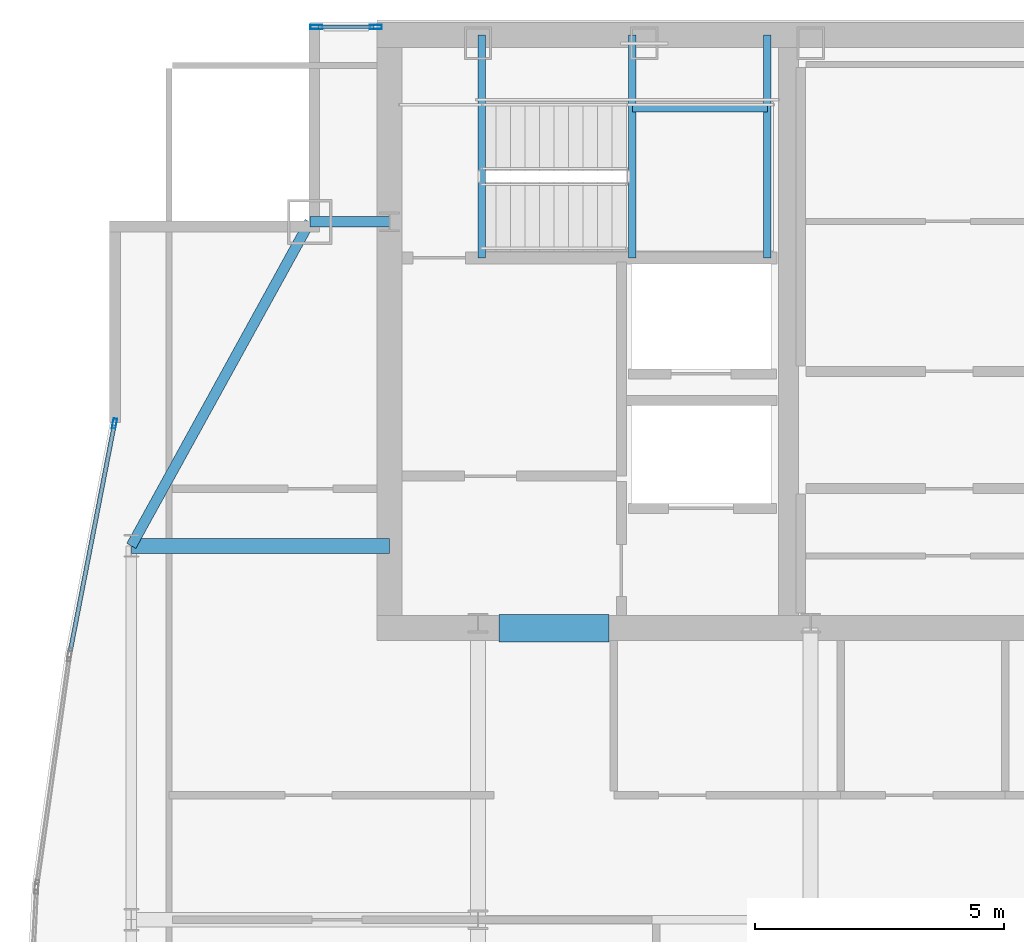
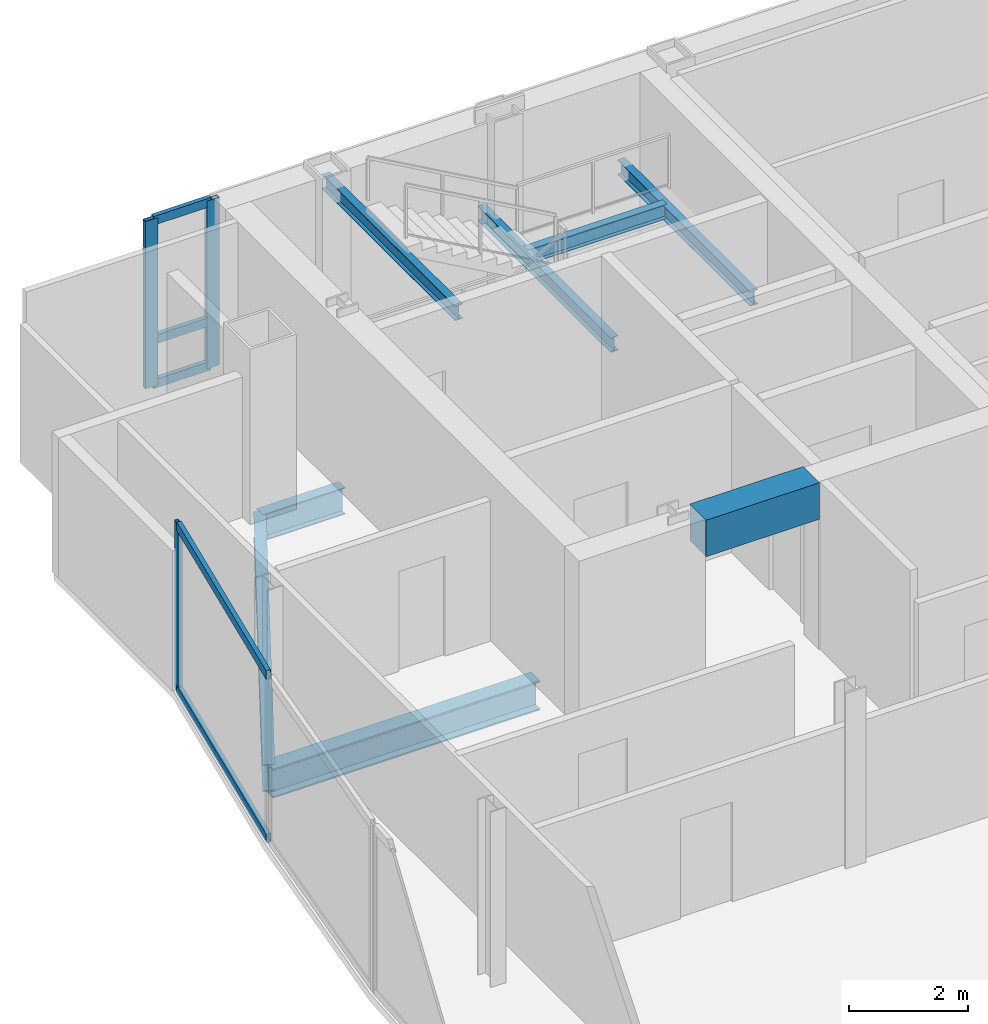
# One storey, part 18 of 27: 8 beams, 8 members, 2 elements without a shape of their own.
"""IFC4 building model written with IfcOpenShell, lengths in metres."""

from ifc_helpers import new_model, si_unit, direction, frame, origin, origin_2d, place, context, subcontext, project, spatial, rectangle, hollow_rectangle, i_section, extrude, material, material_profile, profile_set, type_object, element, aggregate, save


model = new_model("IFC4")

# Units and contexts
model_context = context("Model", 3, precision=1e-05, world=origin(), true_north=direction((0.0, 1.0)))
body_context = subcontext(model_context, "Body", "Model", "MODEL_VIEW")
ifc_project = project(units=[si_unit("LENGTHUNIT", "METRE"), si_unit("AREAUNIT", "SQUARE_METRE"), si_unit("VOLUMEUNIT", "CUBIC_METRE"), si_unit("PLANEANGLEUNIT", "RADIAN"), si_unit("MASSUNIT", "GRAM", prefix="KILO")], contexts=[model_context])

# Site, building, storey
site_placement = place(None, origin())
site = spatial("IfcSite", under=ifc_project, at=site_placement, CompositionType="ELEMENT")
building_placement = place(site_placement, origin())
building = spatial("IfcBuilding", under=site, at=building_placement, Name="Khoronbel Lancet Exchange", CompositionType="ELEMENT")
storey_placement = place(building_placement, frame((0.0, 0.0, 332.60009765625)))
storey = spatial("IfcBuildingStorey", under=building, at=storey_placement, Name="L86", CompositionType="ELEMENT", Elevation=332.60009765625)

# Beams
ifc_material_1 = material(Name="Steel S355", Category="steel")
ifc_material_profile_1 = material_profile(ifc_material_1, i_section(OverallWidth=0.300048828125, OverallDepth=0.60009765625, WebThickness=0.015380859375, FlangeThickness=0.030029296875, at=origin_2d()), Name="HEB 600")
ifc_profile_set_1 = profile_set([ifc_material_profile_1], Name="Steel S355")
beam_type_1 = type_object("IfcBeamType", Name="BM-BG5", PredefinedType="BEAM", material=ifc_profile_set_1)
beam_1_placement = place(storey_placement, frame((11.27001953125, 43.199951171875, -0.460205078125), z_axis=(1.0, 0.0, 0.0), x_axis=(0.0, 1.0, 0.0)))
element("IfcBeam", 1, at=beam_1_placement, inside=storey, type_object=beam_type_1, Name="Level L86 west lens tie girder LG3W", PredefinedType="BEAM", context=body_context, shape_type="SweptSolid", body=[
    extrude(i_section(OverallWidth=0.300048828125, OverallDepth=0.60009765625, WebThickness=0.015380859375, FlangeThickness=0.030029296875, at=origin_2d()), origin(), (0.0, 0.0, 1.0), 5.179931640625),
])
ifc_material_profile_2 = material_profile(ifc_material_1, i_section(OverallWidth=0.14990234375, OverallDepth=0.300048828125, WebThickness=0.007080078125, FlangeThickness=0.0107421875, at=origin_2d()), Name="IPE 300")
ifc_profile_set_2 = profile_set([ifc_material_profile_2], Name="Steel S355")
beam_type_2 = type_object("IfcBeamType", Name="BM-BJ8", PredefinedType="JOIST", material=ifc_profile_set_2)
for number, where, z_axis, x_axis, name in (
    (2, (21.320068359375, 48.97998046875, 1.449951171875), (0.0, 1.0, 0.0), (-1.0, 0.0, 0.0), "Level L86 stair ST1 landing bearer beam 1"),
    (3, (24.030029296875, 48.97998046875, 1.449951171875), (0.0, 1.0, 0.0), (-1.0, 0.0, 0.0), "Level L86 stair ST1 rear landing bearer beam 1"),
):
    element("IfcBeam", number, at=place(storey_placement, frame(where, z_axis=z_axis, x_axis=x_axis)), inside=storey, type_object=beam_type_2, Name=name, PredefinedType="JOIST", context=body_context, shape_type="SweptSolid", body=[
        extrude(i_section(OverallWidth=0.14990234375, OverallDepth=0.300048828125, WebThickness=0.007080078125, FlangeThickness=0.0107421875, at=origin_2d()), origin(), (0.0, 0.0, 1.0), 4.469970703125),
    ])
beam_2_placement = place(storey_placement, frame((21.320068359375, 51.97998046875, 1.449951171875), z_axis=(1.0, 0.0, 0.0), x_axis=(0.0, 1.0, 0.0)))
element("IfcBeam", 4, at=beam_2_placement, inside=storey, type_object=beam_type_2, Name="Level L86 stair ST1 landing cross trimmer beam 1", PredefinedType="JOIST", context=body_context, shape_type="SweptSolid", body=[
    extrude(i_section(OverallWidth=0.14990234375, OverallDepth=0.300048828125, WebThickness=0.007080078125, FlangeThickness=0.0107421875, at=origin_2d()), origin(), (0.0, 0.0, 1.0), 2.7099609375),
])
beam_3_placement = place(storey_placement, frame((18.300048828125, 48.97998046875, 3.159912109375), z_axis=(0.0, 1.0, 0.0), x_axis=(-1.0, 0.0, 0.0)))
element("IfcBeam", 5, at=beam_3_placement, inside=storey, type_object=beam_type_2, Name="Level L86 stair ST1 upper-flight arrival trimmer beam", PredefinedType="JOIST", context=body_context, shape_type="SweptSolid", body=[
    extrude(i_section(OverallWidth=0.14990234375, OverallDepth=0.300048828125, WebThickness=0.007080078125, FlangeThickness=0.0107421875, at=origin_2d()), origin(), (0.0, 0.0, 1.0), 4.469970703125),
])
ifc_material_2 = material(Name="Concrete C60/75", Category="concrete")
ifc_material_profile_3 = material_profile(ifc_material_2, rectangle(XDim=0.550048828125, YDim=0.75, at=origin_2d()), Name="RC 550x750")
ifc_profile_set_3 = profile_set([ifc_material_profile_3], Name="Concrete C60/75")
beam_type_3 = type_object("IfcBeamType", Name="BM-BL2", PredefinedType="LINTEL", material=ifc_profile_set_3)
beam_4_placement = place(storey_placement, frame((18.64990234375, 41.550048828125, 3.06494140625), z_axis=(1.0, 0.0, 0.0), x_axis=(0.0, 1.0, 0.0)))
element("IfcBeam", 6, at=beam_4_placement, inside=storey, type_object=beam_type_3, Name="Level L86 rear core coupling lintel L1", PredefinedType="LINTEL", context=body_context, shape_type="SweptSolid", body=[
    extrude(rectangle(XDim=0.550048828125, YDim=0.75, at=origin_2d()), origin(), (0.0, 0.0, 1.0), 2.2001953125),
])
ifc_material_profile_4 = material_profile(ifc_material_1, i_section(OverallWidth=0.2099609375, OverallDepth=0.550048828125, WebThickness=0.010986328125, FlangeThickness=0.01708984375, at=origin_2d()), Name="IPE 550")
ifc_profile_set_4 = profile_set([ifc_material_profile_4], Name="Steel S355")
beam_type_4 = type_object("IfcBeamType", Name="BM-BSP3", PredefinedType="SPANDREL", material=ifc_profile_set_4)
beam_5_placement = place(storey_placement, frame((14.85009765625, 49.699951171875, -0.43505859375), z_axis=(-0.482444051088, -0.875926787791, 0.0), x_axis=(0.875926787791, -0.482444051088, 0.0)))
element("IfcBeam", 7, at=beam_5_placement, inside=storey, type_object=beam_type_4, Name="Level L86 perimeter spandrel beam SP14", PredefinedType="SPANDREL", context=body_context, shape_type="SweptSolid", body=[
    extrude(i_section(OverallWidth=0.2099609375, OverallDepth=0.550048828125, WebThickness=0.010986328125, FlangeThickness=0.01708984375, at=origin_2d()), origin(), (0.0, 0.0, 1.0), 7.420654296875),
])
beam_6_placement = place(storey_placement, frame((14.85009765625, 49.699951171875, -0.43505859375), z_axis=(1.0, 0.0, 0.0), x_axis=(0.0, 1.0, 0.0)))
element("IfcBeam", 8, at=beam_6_placement, inside=storey, type_object=beam_type_4, Name="Level L86 north flank tie spandrel SP20", PredefinedType="SPANDREL", context=body_context, shape_type="SweptSolid", body=[
    extrude(i_section(OverallWidth=0.2099609375, OverallDepth=0.550048828125, WebThickness=0.010986328125, FlangeThickness=0.01708984375, at=origin_2d()), origin(), (0.0, 0.0, 1.0), 1.599853515625),
])

# Curtain wall, members
ifc_material_3 = material(Name="Low-E Solar Control Insulating Glass", Category="glass")
curtain_wall_type_1 = type_object("IfcCurtainWallType", Name="CW-3", PredefinedType="NOTDEFINED", material=ifc_material_3)
curtain_wall_1_placement = place(storey_placement, origin())
curtain_wall_1 = element("IfcCurtainWall", 9, at=curtain_wall_1_placement, inside=storey, type_object=curtain_wall_type_1, Name="Unitised curtain wall CW-L86-NWFLK", PredefinedType="NOTDEFINED")
ifc_material_4 = material(Name="Bronze-Anodised Aluminium 6063-T6", Category="aluminium")
ifc_material_profile_5 = material_profile(ifc_material_4, hollow_rectangle(XDim=0.0849609375, YDim=0.239990234375, WallThickness=0.006103515625, at=origin_2d()), Name="ALU MULLION 85x240")
ifc_profile_set_5 = profile_set([ifc_material_profile_5], Name="Bronze-Anodised Aluminium 6063-T6")
member_type_1 = type_object("IfcMemberType", Name="MEM-CWM1", PredefinedType="MULLION", material=ifc_profile_set_5)
member_1_placement = place(storey_placement, frame((16.177490234375, 53.610107421875, 0.0), z_axis=(0.0, 0.0, 1.0), x_axis=(0.0, -1.0, 0.0)))
member_1 = element("IfcMember", 10, at=member_1_placement, type_object=member_type_1, Name="CW3 mullion 1", PredefinedType="MULLION", context=body_context, shape_type="SweptSolid", body=[
    extrude(hollow_rectangle(XDim=0.0849609375, YDim=0.239990234375, WallThickness=0.006103515625, at=origin_2d()), origin(), (0.0, 0.0, 1.0), 3.43994140625),
])
member_2_placement = place(storey_placement, frame((14.982421875, 53.610107421875, 0.0), z_axis=(0.0, 0.0, 1.0), x_axis=(0.0, -1.0, 0.0)))
member_2 = element("IfcMember", 11, at=member_2_placement, type_object=member_type_1, Name="CW3 mullion 2", PredefinedType="MULLION", context=body_context, shape_type="SweptSolid", body=[
    extrude(hollow_rectangle(XDim=0.0849609375, YDim=0.239990234375, WallThickness=0.006103515625, at=origin_2d()), origin(), (0.0, 0.0, 1.0), 3.43994140625),
])

curtain_wall_type_2 = type_object("IfcCurtainWallType", Name="CW-4", PredefinedType="NOTDEFINED", material=ifc_material_3)
curtain_wall_2_placement = place(storey_placement, origin())
curtain_wall_2 = element("IfcCurtainWall", 12, at=curtain_wall_2_placement, inside=storey, type_object=curtain_wall_type_2, Name="Unitised curtain wall CW-L86-E09", PredefinedType="NOTDEFINED")
ifc_material_profile_6 = material_profile(ifc_material_4, hollow_rectangle(XDim=0.074951171875, YDim=0.199951171875, WallThickness=0.0048828125, at=origin_2d()), Name="ALU MULLION 75x200")
ifc_profile_set_6 = profile_set([ifc_material_profile_6], Name="Bronze-Anodised Aluminium 6063-T6")
member_type_2 = type_object("IfcMemberType", Name="MEM-CWM2", PredefinedType="MULLION", material=ifc_profile_set_6)
member_3_placement = place(storey_placement, frame((10.932861328125, 45.654541015625, 0.0), z_axis=(0.0, 0.0, 1.0), x_axis=(-0.981647628416, 0.190703785032, 0.0)))
member_3 = element("IfcMember", 13, at=member_3_placement, type_object=member_type_2, Name="CW4 mullion 2", PredefinedType="MULLION", context=body_context, shape_type="SweptSolid", body=[
    extrude(hollow_rectangle(XDim=0.074951171875, YDim=0.199951171875, WallThickness=0.0048828125, at=origin_2d()), origin(), (0.0, 0.0, 1.0), 3.43994140625),
])
ifc_material_profile_7 = material_profile(ifc_material_4, hollow_rectangle(XDim=0.0849609375, YDim=0.179931640625, WallThickness=0.0048828125, at=origin_2d()), Name="ALU TRANSOM 85x180")
ifc_profile_set_7 = profile_set([ifc_material_profile_7], Name="Bronze-Anodised Aluminium 6063-T6")
member_type_3 = type_object("IfcMemberType", Name="MEM-CWT1", PredefinedType="USERDEFINED", material=ifc_profile_set_7)
member_4_placement = place(storey_placement, frame((10.04638671875, 41.092041015625, 0.04248046875), z_axis=(0.190746343711, 0.981639359623, 0.0), x_axis=(-0.981639359623, 0.190746343711, 0.0)))
member_4 = element("IfcMember", 14, at=member_4_placement, type_object=member_type_3, Name="CW4 transom 1.1", ObjectType="TRANSOM", PredefinedType="USERDEFINED", context=body_context, shape_type="SweptSolid", body=[
    extrude(hollow_rectangle(XDim=0.0849609375, YDim=0.179931640625, WallThickness=0.0048828125, at=origin_2d()), origin(), (0.0, 0.0, 1.0), 4.6103515625),
])
member_5_placement = place(storey_placement, frame((10.04638671875, 41.092041015625, 3.3974609375), z_axis=(0.190746343711, 0.981639359623, 0.0), x_axis=(-0.981639359623, 0.190746343711, 0.0)))
member_5 = element("IfcMember", 15, at=member_5_placement, type_object=member_type_3, Name="CW4 transom 1.2", ObjectType="TRANSOM", PredefinedType="USERDEFINED", context=body_context, shape_type="SweptSolid", body=[
    extrude(hollow_rectangle(XDim=0.0849609375, YDim=0.179931640625, WallThickness=0.0048828125, at=origin_2d()), origin(), (0.0, 0.0, 1.0), 4.6103515625),
])
aggregate(curtain_wall_2, [member_3, member_4, member_5])

# Member
member_6_placement = place(storey_placement, frame((16.135009765625, 53.610107421875, 0.04248046875), z_axis=(-1.0, 0.0, 0.0), x_axis=(0.0, -1.0, 0.0)))
member_6 = element("IfcMember", 16, at=member_6_placement, type_object=member_type_3, Name="CW3 transom 1.1", ObjectType="TRANSOM", PredefinedType="USERDEFINED", context=body_context, shape_type="SweptSolid", body=[
    extrude(hollow_rectangle(XDim=0.0849609375, YDim=0.179931640625, WallThickness=0.0048828125, at=origin_2d()), origin(), (0.0, 0.0, 1.0), 1.110107421875),
])

member_7_placement = place(storey_placement, frame((16.135009765625, 53.610107421875, 0.949951171875), z_axis=(-1.0, 0.0, 0.0), x_axis=(0.0, -1.0, 0.0)))
member_7 = element("IfcMember", 17, at=member_7_placement, type_object=member_type_3, Name="CW3 transom 1.2", ObjectType="TRANSOM", PredefinedType="USERDEFINED", context=body_context, shape_type="SweptSolid", body=[
    extrude(hollow_rectangle(XDim=0.0849609375, YDim=0.179931640625, WallThickness=0.0048828125, at=origin_2d()), origin(), (0.0, 0.0, 1.0), 1.110107421875),
])

member_8_placement = place(storey_placement, frame((16.135009765625, 53.610107421875, 3.3974609375), z_axis=(-1.0, 0.0, 0.0), x_axis=(0.0, -1.0, 0.0)))
member_8 = element("IfcMember", 18, at=member_8_placement, type_object=member_type_3, Name="CW3 transom 1.3", ObjectType="TRANSOM", PredefinedType="USERDEFINED", context=body_context, shape_type="SweptSolid", body=[
    extrude(hollow_rectangle(XDim=0.0849609375, YDim=0.179931640625, WallThickness=0.0048828125, at=origin_2d()), origin(), (0.0, 0.0, 1.0), 1.110107421875),
])

aggregate(curtain_wall_1, [member_1, member_2, member_6, member_7, member_8])

save(model, "model.ifc")
